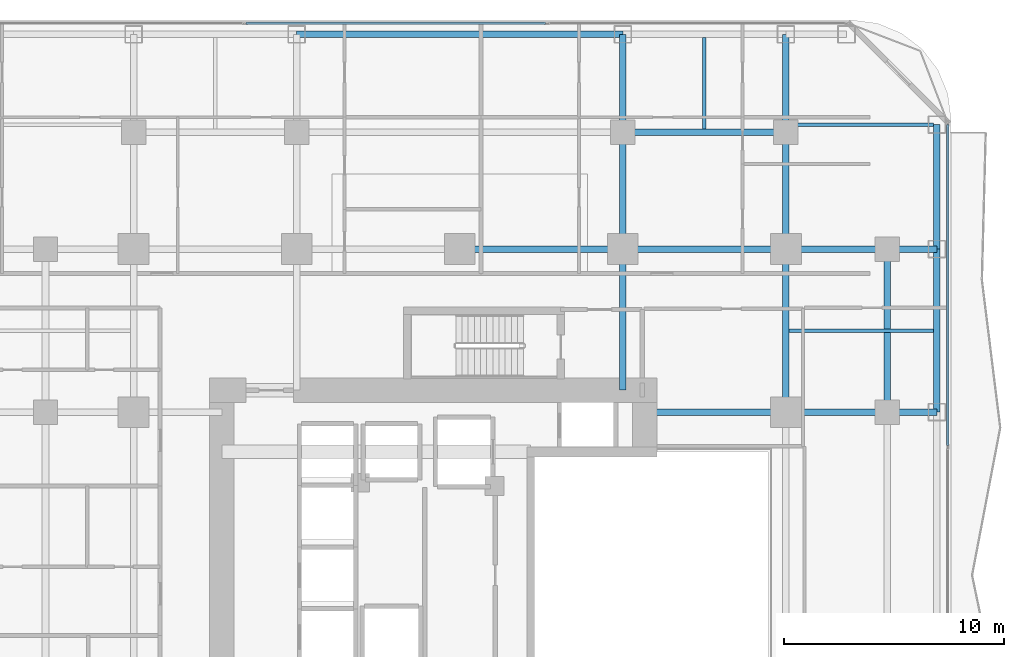
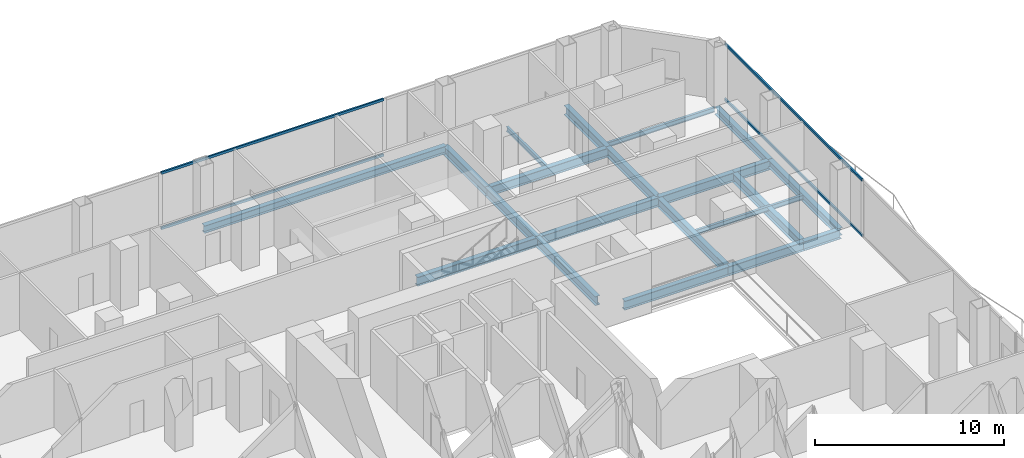
# One storey, part 16 of 29: 21 beams, 4 members, 2 elements without a shape of their own.
"""IFC4 building model written with IfcOpenShell, lengths in metres."""

from ifc_helpers import new_model, si_unit, direction, frame, origin, origin_2d, place, context, subcontext, project, spatial, hollow_rectangle, i_section, extrude, material, layer, layer_set, material_profile, profile_set, type_object, element, aggregate, save


model = new_model("IFC4")

# Units and contexts
model_context = context("Model", 3, precision=1e-05, world=origin(), true_north=direction((0.0, 1.0)))
body_context = subcontext(model_context, "Body", "Model", "MODEL_VIEW")
ifc_project = project(units=[si_unit("LENGTHUNIT", "METRE"), si_unit("AREAUNIT", "SQUARE_METRE"), si_unit("VOLUMEUNIT", "CUBIC_METRE"), si_unit("PLANEANGLEUNIT", "RADIAN"), si_unit("MASSUNIT", "GRAM", prefix="KILO")], contexts=[model_context])

# Site, building, storey
site_placement = place(None, origin())
site = spatial("IfcSite", under=ifc_project, at=site_placement, CompositionType="ELEMENT")
building_placement = place(site_placement, origin())
building = spatial("IfcBuilding", under=site, at=building_placement, Name="Khorvyn Point Tower", CompositionType="ELEMENT")
storey_placement = place(building_placement, frame((0.0, 0.0, 61.800048828125)))
storey = spatial("IfcBuildingStorey", under=building, at=storey_placement, Name="L16", CompositionType="ELEMENT", Elevation=61.800048828125)

# Curtain wall, members
ifc_material_1 = material(Name="Anodised aluminium 6063-T6 and laminated Low-E glass", Category="aluminium")
ifc_layer = layer(ifc_material_1, 0.18994140625)
ifc_layer_set = layer_set([ifc_layer], Name="Stick-Built Finned Residential Curtain Wall CW-SYS-02")
curtain_wall_type = type_object("IfcCurtainWallType", Name="Stick-Built Finned Residential Curtain Wall CW-SYS-02", PredefinedType="NOTDEFINED", material=ifc_layer_set)
curtain_wall_1_placement = place(storey_placement, origin())
curtain_wall_1 = element("IfcCurtainWall", 1, at=curtain_wall_1_placement, inside=storey, type_object=curtain_wall_type, Name="Curtain Wall", PredefinedType="NOTDEFINED")
ifc_material_2 = material(Name="Anodised aluminium 6063-T6", Category="aluminium")
ifc_material_profile_1 = material_profile(ifc_material_2, hollow_rectangle(XDim=0.10009765625, YDim=0.159912109375, WallThickness=0.00439453125, at=origin_2d()))
ifc_profile_set_1 = profile_set([ifc_material_profile_1], Name="Anodised aluminium 6063-T6 ALU-TRN-100x160")
member_type = type_object("IfcMemberType", Name="Anodised Aluminium 6063-T6 Transom ALU-TRN-100x160", PredefinedType="USERDEFINED", material=ifc_profile_set_1)
member_1_placement = place(storey_placement, frame((-9.699951171875, 25.050048828125, 0.050048828125), z_axis=(1.0, 0.0, 0.0), x_axis=(0.0, 1.0, 0.0)))
member_1 = element("IfcMember", 2, at=member_1_placement, type_object=member_type, Name="Transom", ObjectType="TRANSOM", PredefinedType="USERDEFINED", context=body_context, shape_type="SweptSolid", body=[
    extrude(hollow_rectangle(XDim=0.10009765625, YDim=0.159912109375, WallThickness=0.00439453125, at=origin_2d()), origin(), (0.0, 0.0, 1.0), 13.599853515625),
])
member_2_placement = place(storey_placement, frame((-9.699951171875, 25.050048828125, 3.6298828125), z_axis=(1.0, 0.0, 0.0), x_axis=(0.0, 1.0, 0.0)))
member_2 = element("IfcMember", 3, at=member_2_placement, type_object=member_type, Name="Transom", ObjectType="TRANSOM", PredefinedType="USERDEFINED", context=body_context, shape_type="SweptSolid", body=[
    extrude(hollow_rectangle(XDim=0.10009765625, YDim=0.159912109375, WallThickness=0.00439453125, at=origin_2d()), origin(), (0.0, 0.0, 1.0), 13.599853515625),
])
aggregate(curtain_wall_1, [member_1, member_2])

curtain_wall_2_placement = place(storey_placement, origin())
curtain_wall_2 = element("IfcCurtainWall", 4, at=curtain_wall_2_placement, inside=storey, type_object=curtain_wall_type, Name="Curtain Wall", PredefinedType="NOTDEFINED")
member_3_placement = place(storey_placement, frame((22.14990234375, 20.449951171875, 0.050048828125), z_axis=(0.0, -1.0, 0.0), x_axis=(1.0, 0.0, 0.0)))
member_3 = element("IfcMember", 5, at=member_3_placement, type_object=member_type, Name="Transom", ObjectType="TRANSOM", PredefinedType="USERDEFINED", context=body_context, shape_type="SweptSolid", body=[
    extrude(hollow_rectangle(XDim=0.10009765625, YDim=0.159912109375, WallThickness=0.00439453125, at=origin_2d()), origin(), (0.0, 0.0, 1.0), 14.5673828125),
])
member_4_placement = place(storey_placement, frame((22.14990234375, 20.449951171875, 3.6298828125), z_axis=(0.0, -1.0, 0.0), x_axis=(1.0, 0.0, 0.0)))
member_4 = element("IfcMember", 6, at=member_4_placement, type_object=member_type, Name="Transom", ObjectType="TRANSOM", PredefinedType="USERDEFINED", context=body_context, shape_type="SweptSolid", body=[
    extrude(hollow_rectangle(XDim=0.10009765625, YDim=0.159912109375, WallThickness=0.00439453125, at=origin_2d()), origin(), (0.0, 0.0, 1.0), 14.5673828125),
])
aggregate(curtain_wall_2, [member_3, member_4])

# Beams
ifc_material_3 = material(Name="Steel S355", Category="steel")
ifc_material_profile_2 = material_profile(ifc_material_3, i_section(OverallWidth=0.300048828125, OverallDepth=0.587890625, WebThickness=0.011962890625, FlangeThickness=0.02001953125, at=origin_2d()))
ifc_profile_set_2 = profile_set([ifc_material_profile_2], Name="Steel S355 H588x300x12x20")
beam_type_1 = type_object("IfcBeamType", Name="Steel S355 Beam H588x300x12x20", PredefinedType="BEAM", material=ifc_profile_set_2)
beam_1_placement = place(storey_placement, frame((0.0, 14.800048828125, -0.51416015625), z_axis=(1.0, 0.0, 0.0), x_axis=(0.0, 1.0, 0.0)))
element("IfcBeam", 7, at=beam_1_placement, inside=storey, type_object=beam_type_1, Name="Beam", PredefinedType="BEAM", context=body_context, shape_type="SweptSolid", body=[
    extrude(i_section(OverallWidth=0.300048828125, OverallDepth=0.587890625, WebThickness=0.011962890625, FlangeThickness=0.02001953125, at=origin_2d()), origin(), (0.0, 0.0, 1.0), 7.39990234375),
])
beam_2_placement = place(storey_placement, frame((7.39990234375, 14.800048828125, -0.51416015625), z_axis=(1.0, 0.0, 0.0), x_axis=(0.0, 1.0, 0.0)))
element("IfcBeam", 8, at=beam_2_placement, inside=storey, type_object=beam_type_1, Name="Beam", PredefinedType="BEAM", context=body_context, shape_type="SweptSolid", body=[
    extrude(i_section(OverallWidth=0.300048828125, OverallDepth=0.587890625, WebThickness=0.011962890625, FlangeThickness=0.02001953125, at=origin_2d()), origin(), (0.0, 0.0, 1.0), 7.400146484375),
])
beam_3_placement = place(storey_placement, frame((14.800048828125, 14.800048828125, -0.51416015625), z_axis=(1.0, 0.0, 0.0), x_axis=(0.0, 1.0, 0.0)))
element("IfcBeam", 9, at=beam_3_placement, inside=storey, type_object=beam_type_1, Name="Beam", PredefinedType="BEAM", context=body_context, shape_type="SweptSolid", body=[
    extrude(i_section(OverallWidth=0.300048828125, OverallDepth=0.587890625, WebThickness=0.011962890625, FlangeThickness=0.02001953125, at=origin_2d()), origin(), (0.0, 0.0, 1.0), 4.599853515625),
])
beam_4_placement = place(storey_placement, frame((19.39990234375, 14.800048828125, -0.51416015625), z_axis=(1.0, 0.0, 0.0), x_axis=(0.0, 1.0, 0.0)))
element("IfcBeam", 10, at=beam_4_placement, inside=storey, type_object=beam_type_1, Name="Beam", PredefinedType="BEAM", context=body_context, shape_type="SweptSolid", body=[
    extrude(i_section(OverallWidth=0.300048828125, OverallDepth=0.587890625, WebThickness=0.011962890625, FlangeThickness=0.02001953125, at=origin_2d()), origin(), (0.0, 0.0, 1.0), 2.25),
])
beam_5_placement = place(storey_placement, frame((8.39990234375, 7.39990234375, -0.51416015625), z_axis=(1.0, 0.0, 0.0), x_axis=(0.0, 1.0, 0.0)))
element("IfcBeam", 11, at=beam_5_placement, inside=storey, type_object=beam_type_1, Name="Beam", PredefinedType="BEAM", context=body_context, shape_type="SweptSolid", body=[
    extrude(i_section(OverallWidth=0.300048828125, OverallDepth=0.587890625, WebThickness=0.011962890625, FlangeThickness=0.02001953125, at=origin_2d()), origin(), (0.0, 0.0, 1.0), 6.400146484375),
])
beam_6_placement = place(storey_placement, frame((14.800048828125, 7.39990234375, -0.51416015625), z_axis=(1.0, 0.0, 0.0), x_axis=(0.0, 1.0, 0.0)))
element("IfcBeam", 12, at=beam_6_placement, inside=storey, type_object=beam_type_1, Name="Beam", PredefinedType="BEAM", context=body_context, shape_type="SweptSolid", body=[
    extrude(i_section(OverallWidth=0.300048828125, OverallDepth=0.587890625, WebThickness=0.011962890625, FlangeThickness=0.02001953125, at=origin_2d()), origin(), (0.0, 0.0, 1.0), 4.599853515625),
])
beam_7_placement = place(storey_placement, frame((19.39990234375, 7.39990234375, -0.51416015625), z_axis=(1.0, 0.0, 0.0), x_axis=(0.0, 1.0, 0.0)))
element("IfcBeam", 13, at=beam_7_placement, inside=storey, type_object=beam_type_1, Name="Beam", PredefinedType="BEAM", context=body_context, shape_type="SweptSolid", body=[
    extrude(i_section(OverallWidth=0.300048828125, OverallDepth=0.587890625, WebThickness=0.011962890625, FlangeThickness=0.02001953125, at=origin_2d()), origin(), (0.0, 0.0, 1.0), 2.25),
])
for number, where, z_axis, x_axis, name in (
    (14, (7.39990234375, 20.10009765625, -0.51416015625), (1.0, 0.0, 0.0), (0.0, 1.0, 0.0), "Beam"),
    (15, (14.800048828125, 7.39990234375, -0.51416015625), (0.0, 1.0, 0.0), (-1.0, 0.0, 0.0), "Beam"),
):
    element("IfcBeam", number, at=place(storey_placement, frame(where, z_axis=z_axis, x_axis=x_axis)), inside=storey, type_object=beam_type_1, Name=name, PredefinedType="BEAM", context=body_context, shape_type="SweptSolid", body=[
        extrude(i_section(OverallWidth=0.300048828125, OverallDepth=0.587890625, WebThickness=0.011962890625, FlangeThickness=0.02001953125, at=origin_2d()), origin(), (0.0, 0.0, 1.0), 7.400146484375),
    ])
beam_8_placement = place(storey_placement, frame((14.800048828125, 14.800048828125, -0.51416015625), z_axis=(0.0, 1.0, 0.0), x_axis=(-1.0, 0.0, 0.0)))
element("IfcBeam", 16, at=beam_8_placement, inside=storey, type_object=beam_type_1, Name="Beam", PredefinedType="BEAM", context=body_context, shape_type="SweptSolid", body=[
    extrude(i_section(OverallWidth=0.300048828125, OverallDepth=0.587890625, WebThickness=0.011962890625, FlangeThickness=0.02001953125, at=origin_2d()), origin(), (0.0, 0.0, 1.0), 5.300048828125),
])
beam_9_placement = place(storey_placement, frame((14.800048828125, 20.10009765625, -0.51416015625), z_axis=(0.0, 1.0, 0.0), x_axis=(-1.0, 0.0, 0.0)))
element("IfcBeam", 17, at=beam_9_placement, inside=storey, type_object=beam_type_1, Name="Beam", PredefinedType="BEAM", context=body_context, shape_type="SweptSolid", body=[
    extrude(i_section(OverallWidth=0.300048828125, OverallDepth=0.587890625, WebThickness=0.011962890625, FlangeThickness=0.02001953125, at=origin_2d()), origin(), (0.0, 0.0, 1.0), 4.449951171875),
])
beam_10_placement = place(storey_placement, frame((7.39990234375, 8.39990234375, -0.51416015625), z_axis=(0.0, 1.0, 0.0), x_axis=(-1.0, 0.0, 0.0)))
element("IfcBeam", 18, at=beam_10_placement, inside=storey, type_object=beam_type_1, Name="Beam", PredefinedType="BEAM", context=body_context, shape_type="SweptSolid", body=[
    extrude(i_section(OverallWidth=0.300048828125, OverallDepth=0.587890625, WebThickness=0.011962890625, FlangeThickness=0.02001953125, at=origin_2d()), origin(), (0.0, 0.0, 1.0), 6.400146484375),
])
beam_11_placement = place(storey_placement, frame((7.39990234375, 14.800048828125, -0.51416015625), z_axis=(0.0, 1.0, 0.0), x_axis=(-1.0, 0.0, 0.0)))
element("IfcBeam", 19, at=beam_11_placement, inside=storey, type_object=beam_type_1, Name="Beam", PredefinedType="BEAM", context=body_context, shape_type="SweptSolid", body=[
    extrude(i_section(OverallWidth=0.300048828125, OverallDepth=0.587890625, WebThickness=0.011962890625, FlangeThickness=0.02001953125, at=origin_2d()), origin(), (0.0, 0.0, 1.0), 5.300048828125),
])
beam_12_placement = place(storey_placement, frame((7.39990234375, 20.10009765625, -0.51416015625), z_axis=(0.0, 1.0, 0.0), x_axis=(-1.0, 0.0, 0.0)))
element("IfcBeam", 20, at=beam_12_placement, inside=storey, type_object=beam_type_1, Name="Beam", PredefinedType="BEAM", context=body_context, shape_type="SweptSolid", body=[
    extrude(i_section(OverallWidth=0.300048828125, OverallDepth=0.587890625, WebThickness=0.011962890625, FlangeThickness=0.02001953125, at=origin_2d()), origin(), (0.0, 0.0, 1.0), 4.449951171875),
])
beam_13_placement = place(storey_placement, frame((19.39990234375, 7.39990234375, -0.51416015625), z_axis=(0.0, 1.0, 0.0), x_axis=(-1.0, 0.0, 0.0)))
element("IfcBeam", 21, at=beam_13_placement, inside=storey, type_object=beam_type_1, Name="Beam", PredefinedType="BEAM", context=body_context, shape_type="SweptSolid", body=[
    extrude(i_section(OverallWidth=0.300048828125, OverallDepth=0.587890625, WebThickness=0.011962890625, FlangeThickness=0.02001953125, at=origin_2d()), origin(), (0.0, 0.0, 1.0), 7.400146484375),
])
ifc_material_profile_3 = material_profile(ifc_material_3, i_section(OverallWidth=0.14990234375, OverallDepth=0.300048828125, WebThickness=0.006591796875, FlangeThickness=0.009033203125, at=origin_2d()))
ifc_profile_set_3 = profile_set([ifc_material_profile_3], Name="Steel S355 H300x150x6.5x9")
beam_type_2 = type_object("IfcBeamType", Name="Steel S355 Joist H300x150x6.5x9", PredefinedType="JOIST", material=ifc_profile_set_3)
beam_14_placement = place(storey_placement, frame((14.949951171875, 11.10009765625, -0.3701171875), z_axis=(1.0, 0.0, 0.0), x_axis=(0.0, 1.0, 0.0)))
element("IfcBeam", 22, at=beam_14_placement, inside=storey, type_object=beam_type_2, Name="Beam", PredefinedType="JOIST", context=body_context, shape_type="SweptSolid", body=[
    extrude(i_section(OverallWidth=0.14990234375, OverallDepth=0.300048828125, WebThickness=0.006591796875, FlangeThickness=0.009033203125, at=origin_2d()), origin(), (0.0, 0.0, 1.0), 6.550048828125),
])
beam_15_placement = place(storey_placement, frame((11.10009765625, 20.25, -0.3701171875), z_axis=(0.0, 1.0, 0.0), x_axis=(-1.0, 0.0, 0.0)))
element("IfcBeam", 23, at=beam_15_placement, inside=storey, type_object=beam_type_2, Name="Beam", PredefinedType="JOIST", context=body_context, shape_type="SweptSolid", body=[
    extrude(i_section(OverallWidth=0.14990234375, OverallDepth=0.300048828125, WebThickness=0.006591796875, FlangeThickness=0.009033203125, at=origin_2d()), origin(), (0.0, 0.0, 1.0), 4.14990234375),
])
beam_16_placement = place(storey_placement, frame((14.949951171875, 20.449951171875, -0.3701171875), z_axis=(1.0, 0.0, 0.0), x_axis=(0.0, 1.0, 0.0)))
element("IfcBeam", 24, at=beam_16_placement, inside=storey, type_object=beam_type_2, Name="Beam", PredefinedType="JOIST", context=body_context, shape_type="SweptSolid", body=[
    extrude(i_section(OverallWidth=0.14990234375, OverallDepth=0.300048828125, WebThickness=0.006591796875, FlangeThickness=0.009033203125, at=origin_2d()), origin(), (0.0, 0.0, 1.0), 6.550048828125),
])
ifc_material_profile_4 = material_profile(ifc_material_3, i_section(OverallWidth=0.300048828125, OverallDepth=0.488037109375, WebThickness=0.010986328125, FlangeThickness=0.01806640625, at=origin_2d()))
ifc_profile_set_4 = profile_set([ifc_material_profile_4], Name="Steel S355 H488x300x11x18")
beam_type_3 = type_object("IfcBeamType", Name="Steel S355 Spandrel H488x300x11x18", PredefinedType="SPANDREL", material=ifc_profile_set_4)
beam_17_placement = place(storey_placement, frame((-7.39990234375, 24.550048828125, -0.464111328125), z_axis=(1.0, 0.0, 0.0), x_axis=(0.0, 1.0, 0.0)))
element("IfcBeam", 25, at=beam_17_placement, inside=storey, type_object=beam_type_3, Name="Beam", PredefinedType="SPANDREL", context=body_context, shape_type="SweptSolid", body=[
    extrude(i_section(OverallWidth=0.300048828125, OverallDepth=0.488037109375, WebThickness=0.010986328125, FlangeThickness=0.01806640625, at=origin_2d()), origin(), (0.0, 0.0, 1.0), 14.7998046875),
])
beam_18_placement = place(storey_placement, frame((21.64990234375, 7.39990234375, -0.464111328125), z_axis=(0.0, 1.0, 0.0), x_axis=(-1.0, 0.0, 0.0)))
element("IfcBeam", 26, at=beam_18_placement, inside=storey, type_object=beam_type_3, Name="Beam", PredefinedType="SPANDREL", context=body_context, shape_type="SweptSolid", body=[
    extrude(i_section(OverallWidth=0.300048828125, OverallDepth=0.488037109375, WebThickness=0.010986328125, FlangeThickness=0.01806640625, at=origin_2d()), origin(), (0.0, 0.0, 1.0), 7.400146484375),
])
beam_19_placement = place(storey_placement, frame((21.64990234375, 14.800048828125, -0.464111328125), z_axis=(0.0, 1.0, 0.0), x_axis=(-1.0, 0.0, 0.0)))
element("IfcBeam", 27, at=beam_19_placement, inside=storey, type_object=beam_type_3, Name="Beam", PredefinedType="SPANDREL", context=body_context, shape_type="SweptSolid", body=[
    extrude(i_section(OverallWidth=0.300048828125, OverallDepth=0.488037109375, WebThickness=0.010986328125, FlangeThickness=0.01806640625, at=origin_2d()), origin(), (0.0, 0.0, 1.0), 5.64990234375),
])

save(model, "model.ifc")
